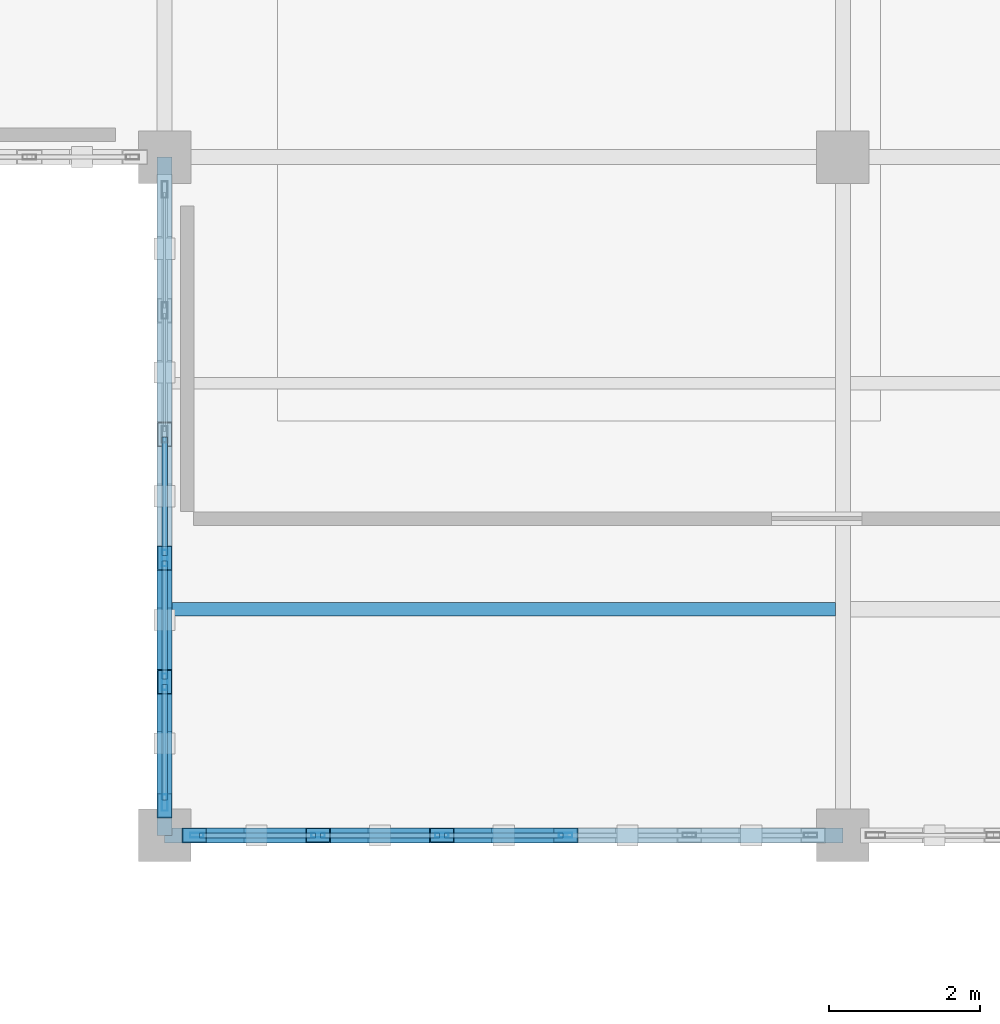
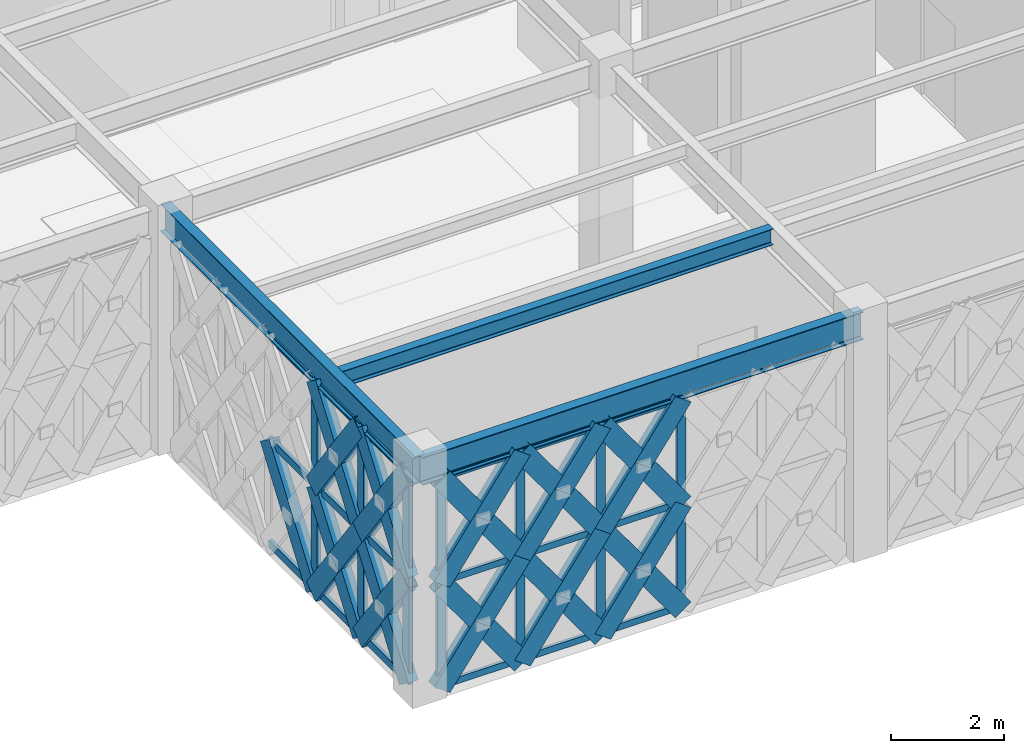
# One storey, part 2 of 72: 56 members, 3 beams, 2 elements without a shape of their own.
"""IFC4 building model written with IfcOpenShell, lengths in metres."""

from ifc_helpers import new_model, si_unit, direction, frame, origin, origin_2d, place, context, subcontext, project, spatial, hollow_rectangle, i_section, extrude, material, material_profile, profile_set, type_object, element, aggregate, save


model = new_model("IFC4")

# Units and contexts
model_context = context("Model", 3, precision=1e-05, world=origin(), true_north=direction((0.0, 1.0)))
body_context = subcontext(model_context, "Body", "Model", "MODEL_VIEW")
ifc_project = project(units=[si_unit("LENGTHUNIT", "METRE"), si_unit("AREAUNIT", "SQUARE_METRE"), si_unit("VOLUMEUNIT", "CUBIC_METRE"), si_unit("PLANEANGLEUNIT", "RADIAN"), si_unit("MASSUNIT", "GRAM", prefix="KILO")], contexts=[model_context])

# Site, building, storey
site_placement = place(None, origin())
site = spatial("IfcSite", under=ifc_project, at=site_placement, CompositionType="ELEMENT")
building_placement = place(site_placement, origin())
building = spatial("IfcBuilding", under=site, at=building_placement, Name="Haizhuo Lancet Aquarium", CompositionType="ELEMENT")
storey_placement = place(building_placement, frame((0.0, 0.0, 21.60009765625)))
storey = spatial("IfcBuildingStorey", under=building, at=storey_placement, Name="L04", CompositionType="ELEMENT", Elevation=21.60009765625)

# Beams
ifc_material_1 = material(Name="Steel S355", Category="steel")
ifc_material_profile_1 = material_profile(ifc_material_1, i_section(OverallWidth=0.199951171875, OverallDepth=0.60009765625, WebThickness=0.010986328125, FlangeThickness=0.01708984375, FilletRadius=0.02197265625, at=origin_2d()), Name="HN 600x200x11x17")
ifc_profile_set_1 = profile_set([ifc_material_profile_1], Name="Steel S355")
beam_type_1 = type_object("IfcBeamType", Name="BM-ST-HN600", PredefinedType="BEAM", material=ifc_profile_set_1)
for number, where, z_axis, x_axis, name in (
    (1, (-72.0, -27.0, 4.849853515625), (0.0, 1.0, 0.0), (-1.0, 0.0, 0.0), "L04 V6 primary girder BM-L04-V6-004"),
    (2, (-72.0, -27.0, 4.849853515625), (1.0, 0.0, 0.0), (0.0, 1.0, 0.0), "L04 V6 primary girder BM-L04-V6-005"),
):
    element("IfcBeam", number, at=place(storey_placement, frame(where, z_axis=z_axis, x_axis=x_axis)), inside=storey, type_object=beam_type_1, Name=name, PredefinedType="BEAM", context=body_context, shape_type="SweptSolid", body=[
        extrude(i_section(OverallWidth=0.199951171875, OverallDepth=0.60009765625, WebThickness=0.010986328125, FlangeThickness=0.01708984375, FilletRadius=0.02197265625, at=origin_2d()), origin(), (0.0, 0.0, 1.0), 9.0),
    ])

# Curtain wall, members
ifc_material_2 = material(Name="Aluminium 6063-T6", Category="aluminium")
curtain_wall_type = type_object("IfcCurtainWallType", Name="CWD-8210x4550", PredefinedType="NOTDEFINED", material=ifc_material_2)
curtain_wall_1_placement = place(storey_placement, origin())
curtain_wall_1 = element("IfcCurtainWall", 3, at=curtain_wall_1_placement, inside=storey, type_object=curtain_wall_type, Name="L04 curtain wall CW-V6-L04-256", PredefinedType="NOTDEFINED")
ifc_material_profile_2 = material_profile(ifc_material_2, hollow_rectangle(XDim=0.06494140625, YDim=0.179931640625, WallThickness=0.00390625, at=origin_2d()), Name="ALU-M 65x180x4")
ifc_profile_set_2 = profile_set([ifc_material_profile_2], Name="Aluminium 6063-T6")
member_type_1 = type_object("IfcMemberType", Name="CW-MUL-1", PredefinedType="MULLION", material=ifc_profile_set_2)
member_1_placement = place(storey_placement, frame((-66.678955078125, -27.0, 0.0), z_axis=(0.0, 0.0, 1.0), x_axis=(0.0, -1.0, 0.0)))
member_1 = element("IfcMember", 4, at=member_1_placement, type_object=member_type_1, Name="CWD-82x45 mullion 3", PredefinedType="MULLION", context=body_context, shape_type="SweptSolid", body=[
    extrude(hollow_rectangle(XDim=0.06494140625, YDim=0.179931640625, WallThickness=0.00390625, at=origin_2d()), origin(), (0.0, 0.0, 1.0), 4.5498046875),
])
member_2_placement = place(storey_placement, frame((-68.321044921875, -27.0, 0.0), z_axis=(0.0, 0.0, 1.0), x_axis=(0.0, -1.0, 0.0)))
member_2 = element("IfcMember", 5, at=member_2_placement, type_object=member_type_1, Name="CWD-82x45 mullion 4", PredefinedType="MULLION", context=body_context, shape_type="SweptSolid", body=[
    extrude(hollow_rectangle(XDim=0.06494140625, YDim=0.179931640625, WallThickness=0.00390625, at=origin_2d()), origin(), (0.0, 0.0, 1.0), 4.5498046875),
])
member_3_placement = place(storey_placement, frame((-69.962890625, -27.0, 0.0), z_axis=(0.0, 0.0, 1.0), x_axis=(0.0, -1.0, 0.0)))
member_3 = element("IfcMember", 6, at=member_3_placement, type_object=member_type_1, Name="CWD-82x45 mullion 5", PredefinedType="MULLION", context=body_context, shape_type="SweptSolid", body=[
    extrude(hollow_rectangle(XDim=0.06494140625, YDim=0.179931640625, WallThickness=0.00390625, at=origin_2d()), origin(), (0.0, 0.0, 1.0), 4.5498046875),
])
member_4_placement = place(storey_placement, frame((-71.572998046875, -27.0, 0.0), z_axis=(0.0, 0.0, 1.0), x_axis=(0.0, -1.0, 0.0)))
member_4 = element("IfcMember", 7, at=member_4_placement, type_object=member_type_1, Name="CWD-82x45 mullion 6", PredefinedType="MULLION", context=body_context, shape_type="SweptSolid", body=[
    extrude(hollow_rectangle(XDim=0.06494140625, YDim=0.179931640625, WallThickness=0.00390625, at=origin_2d()), origin(), (0.0, 0.0, 1.0), 4.5498046875),
])

curtain_wall_2_placement = place(storey_placement, origin())
curtain_wall_2 = element("IfcCurtainWall", 8, at=curtain_wall_2_placement, inside=storey, type_object=curtain_wall_type, Name="L04 curtain wall CW-V6-L04-257", PredefinedType="NOTDEFINED")
ifc_material_profile_3 = material_profile(ifc_material_2, hollow_rectangle(XDim=0.074951171875, YDim=0.219970703125, WallThickness=0.0048828125, at=origin_2d()), Name="ALU-M 75x220x5")
ifc_profile_set_3 = profile_set([ifc_material_profile_3], Name="Aluminium 6063-T6")
member_type_2 = type_object("IfcMemberType", Name="CW-MUL-2", PredefinedType="MULLION", material=ifc_profile_set_3)
member_5_placement = place(storey_placement, frame((-72.0, -26.56689453125, 0.0), z_axis=(0.0, 0.0, 1.0), x_axis=(-1.0, 0.0, 0.0)))
member_5 = element("IfcMember", 9, at=member_5_placement, type_object=member_type_2, Name="CWD-82x45 mullion 1", PredefinedType="MULLION", context=body_context, shape_type="SweptSolid", body=[
    extrude(hollow_rectangle(XDim=0.074951171875, YDim=0.219970703125, WallThickness=0.0048828125, at=origin_2d()), origin(), (0.0, 0.0, 1.0), 4.5498046875),
])
member_6_placement = place(storey_placement, frame((-72.0, -24.962890625, 0.0), z_axis=(0.0, 0.0, 1.0), x_axis=(-1.0, 0.0, 0.0)))
member_6 = element("IfcMember", 10, at=member_6_placement, type_object=member_type_2, Name="CWD-82x45 mullion 2", PredefinedType="MULLION", context=body_context, shape_type="SweptSolid", body=[
    extrude(hollow_rectangle(XDim=0.074951171875, YDim=0.219970703125, WallThickness=0.0048828125, at=origin_2d()), origin(), (0.0, 0.0, 1.0), 4.5498046875),
])
member_7_placement = place(storey_placement, frame((-72.0, -23.321044921875, 0.0), z_axis=(0.0, 0.0, 1.0), x_axis=(-1.0, 0.0, 0.0)))
member_7 = element("IfcMember", 11, at=member_7_placement, type_object=member_type_2, Name="CWD-82x45 mullion 3", PredefinedType="MULLION", context=body_context, shape_type="SweptSolid", body=[
    extrude(hollow_rectangle(XDim=0.074951171875, YDim=0.219970703125, WallThickness=0.0048828125, at=origin_2d()), origin(), (0.0, 0.0, 1.0), 4.5498046875),
])

# Member
ifc_material_profile_4 = material_profile(ifc_material_2, hollow_rectangle(XDim=0.06494140625, YDim=0.139892578125, WallThickness=0.00390625, at=origin_2d()), Name="ALU-T 65x140x4")
ifc_profile_set_4 = profile_set([ifc_material_profile_4], Name="Aluminium 6063-T6")
member_type_3 = type_object("IfcMemberType", Name="CW-TRN-1", PredefinedType="NOTDEFINED", material=ifc_profile_set_4)
member_8_placement = place(storey_placement, frame((-66.7119140625, -27.0, 0.032958984375), z_axis=(-1.0, 0.0, 0.0), x_axis=(0.0, -1.0, 0.0)))
member_8 = element("IfcMember", 12, at=member_8_placement, type_object=member_type_3, Name="CWD-82x45 transom 3.1", ObjectType="TRANSOM", PredefinedType="USERDEFINED", context=body_context, shape_type="SweptSolid", body=[
    extrude(hollow_rectangle(XDim=0.06494140625, YDim=0.139892578125, WallThickness=0.00390625, at=origin_2d()), origin(), (0.0, 0.0, 1.0), 1.576171875),
])

member_9_placement = place(storey_placement, frame((-66.7119140625, -27.0, 2.27490234375), z_axis=(-1.0, 0.0, 0.0), x_axis=(0.0, -1.0, 0.0)))
member_9 = element("IfcMember", 13, at=member_9_placement, type_object=member_type_3, Name="CWD-82x45 transom 3.2", ObjectType="TRANSOM", PredefinedType="USERDEFINED", context=body_context, shape_type="SweptSolid", body=[
    extrude(hollow_rectangle(XDim=0.06494140625, YDim=0.139892578125, WallThickness=0.00390625, at=origin_2d()), origin(), (0.0, 0.0, 1.0), 1.576171875),
])

member_10_placement = place(storey_placement, frame((-66.7119140625, -27.0, 4.516845703125), z_axis=(-1.0, 0.0, 0.0), x_axis=(0.0, -1.0, 0.0)))
member_10 = element("IfcMember", 14, at=member_10_placement, type_object=member_type_3, Name="CWD-82x45 transom 3.3", ObjectType="TRANSOM", PredefinedType="USERDEFINED", context=body_context, shape_type="SweptSolid", body=[
    extrude(hollow_rectangle(XDim=0.06494140625, YDim=0.139892578125, WallThickness=0.00390625, at=origin_2d()), origin(), (0.0, 0.0, 1.0), 1.576171875),
])

member_11_placement = place(storey_placement, frame((-68.35302734375, -27.0, 0.032958984375), z_axis=(-1.0, 0.0, 0.0), x_axis=(0.0, -1.0, 0.0)))
member_11 = element("IfcMember", 15, at=member_11_placement, type_object=member_type_3, Name="CWD-82x45 transom 4.1", ObjectType="TRANSOM", PredefinedType="USERDEFINED", context=body_context, shape_type="SweptSolid", body=[
    extrude(hollow_rectangle(XDim=0.06494140625, YDim=0.139892578125, WallThickness=0.00390625, at=origin_2d()), origin(), (0.0, 0.0, 1.0), 1.577880859375),
])

member_12_placement = place(storey_placement, frame((-68.35302734375, -27.0, 2.27490234375), z_axis=(-1.0, 0.0, 0.0), x_axis=(0.0, -1.0, 0.0)))
member_12 = element("IfcMember", 16, at=member_12_placement, type_object=member_type_3, Name="CWD-82x45 transom 4.2", ObjectType="TRANSOM", PredefinedType="USERDEFINED", context=body_context, shape_type="SweptSolid", body=[
    extrude(hollow_rectangle(XDim=0.06494140625, YDim=0.139892578125, WallThickness=0.00390625, at=origin_2d()), origin(), (0.0, 0.0, 1.0), 1.577880859375),
])

member_13_placement = place(storey_placement, frame((-68.35302734375, -27.0, 4.516845703125), z_axis=(-1.0, 0.0, 0.0), x_axis=(0.0, -1.0, 0.0)))
member_13 = element("IfcMember", 17, at=member_13_placement, type_object=member_type_3, Name="CWD-82x45 transom 4.3", ObjectType="TRANSOM", PredefinedType="USERDEFINED", context=body_context, shape_type="SweptSolid", body=[
    extrude(hollow_rectangle(XDim=0.06494140625, YDim=0.139892578125, WallThickness=0.00390625, at=origin_2d()), origin(), (0.0, 0.0, 1.0), 1.577880859375),
])

member_14_placement = place(storey_placement, frame((-69.99609375, -27.0, 0.032958984375), z_axis=(-1.0, 0.0, 0.0), x_axis=(0.0, -1.0, 0.0)))
member_14 = element("IfcMember", 18, at=member_14_placement, type_object=member_type_3, Name="CWD-82x45 transom 5.1", ObjectType="TRANSOM", PredefinedType="USERDEFINED", context=body_context, shape_type="SweptSolid", body=[
    extrude(hollow_rectangle(XDim=0.06494140625, YDim=0.139892578125, WallThickness=0.00390625, at=origin_2d()), origin(), (0.0, 0.0, 1.0), 1.5439453125),
])

member_15_placement = place(storey_placement, frame((-69.99609375, -27.0, 2.27490234375), z_axis=(-1.0, 0.0, 0.0), x_axis=(0.0, -1.0, 0.0)))
member_15 = element("IfcMember", 19, at=member_15_placement, type_object=member_type_3, Name="CWD-82x45 transom 5.2", ObjectType="TRANSOM", PredefinedType="USERDEFINED", context=body_context, shape_type="SweptSolid", body=[
    extrude(hollow_rectangle(XDim=0.06494140625, YDim=0.139892578125, WallThickness=0.00390625, at=origin_2d()), origin(), (0.0, 0.0, 1.0), 1.5439453125),
])

member_16_placement = place(storey_placement, frame((-69.99609375, -27.0, 4.516845703125), z_axis=(-1.0, 0.0, 0.0), x_axis=(0.0, -1.0, 0.0)))
member_16 = element("IfcMember", 20, at=member_16_placement, type_object=member_type_3, Name="CWD-82x45 transom 5.3", ObjectType="TRANSOM", PredefinedType="USERDEFINED", context=body_context, shape_type="SweptSolid", body=[
    extrude(hollow_rectangle(XDim=0.06494140625, YDim=0.139892578125, WallThickness=0.00390625, at=origin_2d()), origin(), (0.0, 0.0, 1.0), 1.5439453125),
])

aggregate(curtain_wall_1, [member_1, member_2, member_3, member_4, member_8, member_9, member_10, member_11, member_12, member_13, member_14, member_15, member_16])

ifc_material_profile_5 = material_profile(ifc_material_2, hollow_rectangle(XDim=0.074951171875, YDim=0.159912109375, WallThickness=0.00390625, at=origin_2d()), Name="ALU-T 75x160x4")
ifc_profile_set_5 = profile_set([ifc_material_profile_5], Name="Aluminium 6063-T6")
member_type_4 = type_object("IfcMemberType", Name="CW-TRN-2", PredefinedType="NOTDEFINED", material=ifc_profile_set_5)
member_17_placement = place(storey_placement, frame((-72.0, -26.530029296875, 0.037841796875), z_axis=(0.0, 1.0, 0.0), x_axis=(-1.0, 0.0, 0.0)))
member_17 = element("IfcMember", 21, at=member_17_placement, type_object=member_type_4, Name="CWD-82x45 transom 1.1", ObjectType="TRANSOM", PredefinedType="USERDEFINED", context=body_context, shape_type="SweptSolid", body=[
    extrude(hollow_rectangle(XDim=0.074951171875, YDim=0.159912109375, WallThickness=0.00390625, at=origin_2d()), origin(), (0.0, 0.0, 1.0), 1.530029296875),
])

member_18_placement = place(storey_placement, frame((-72.0, -26.530029296875, 2.27490234375), z_axis=(0.0, 1.0, 0.0), x_axis=(-1.0, 0.0, 0.0)))
member_18 = element("IfcMember", 22, at=member_18_placement, type_object=member_type_4, Name="CWD-82x45 transom 1.2", ObjectType="TRANSOM", PredefinedType="USERDEFINED", context=body_context, shape_type="SweptSolid", body=[
    extrude(hollow_rectangle(XDim=0.074951171875, YDim=0.159912109375, WallThickness=0.00390625, at=origin_2d()), origin(), (0.0, 0.0, 1.0), 1.530029296875),
])

member_19_placement = place(storey_placement, frame((-72.0, -26.530029296875, 4.511962890625), z_axis=(0.0, 1.0, 0.0), x_axis=(-1.0, 0.0, 0.0)))
member_19 = element("IfcMember", 23, at=member_19_placement, type_object=member_type_4, Name="CWD-82x45 transom 1.3", ObjectType="TRANSOM", PredefinedType="USERDEFINED", context=body_context, shape_type="SweptSolid", body=[
    extrude(hollow_rectangle(XDim=0.074951171875, YDim=0.159912109375, WallThickness=0.00390625, at=origin_2d()), origin(), (0.0, 0.0, 1.0), 1.530029296875),
])

member_20_placement = place(storey_placement, frame((-72.0, -24.925048828125, 0.037841796875), z_axis=(0.0, 1.0, 0.0), x_axis=(-1.0, 0.0, 0.0)))
member_20 = element("IfcMember", 24, at=member_20_placement, type_object=member_type_4, Name="CWD-82x45 transom 2.1", ObjectType="TRANSOM", PredefinedType="USERDEFINED", context=body_context, shape_type="SweptSolid", body=[
    extrude(hollow_rectangle(XDim=0.074951171875, YDim=0.159912109375, WallThickness=0.00390625, at=origin_2d()), origin(), (0.0, 0.0, 1.0), 1.567138671875),
])

member_21_placement = place(storey_placement, frame((-72.0, -24.925048828125, 2.27490234375), z_axis=(0.0, 1.0, 0.0), x_axis=(-1.0, 0.0, 0.0)))
member_21 = element("IfcMember", 25, at=member_21_placement, type_object=member_type_4, Name="CWD-82x45 transom 2.2", ObjectType="TRANSOM", PredefinedType="USERDEFINED", context=body_context, shape_type="SweptSolid", body=[
    extrude(hollow_rectangle(XDim=0.074951171875, YDim=0.159912109375, WallThickness=0.00390625, at=origin_2d()), origin(), (0.0, 0.0, 1.0), 1.567138671875),
])

member_22_placement = place(storey_placement, frame((-72.0, -24.925048828125, 4.511962890625), z_axis=(0.0, 1.0, 0.0), x_axis=(-1.0, 0.0, 0.0)))
member_22 = element("IfcMember", 26, at=member_22_placement, type_object=member_type_4, Name="CWD-82x45 transom 2.3", ObjectType="TRANSOM", PredefinedType="USERDEFINED", context=body_context, shape_type="SweptSolid", body=[
    extrude(hollow_rectangle(XDim=0.074951171875, YDim=0.159912109375, WallThickness=0.00390625, at=origin_2d()), origin(), (0.0, 0.0, 1.0), 1.567138671875),
])

member_23_placement = place(storey_placement, frame((-72.0, -23.283935546875, 0.037841796875), z_axis=(0.0, 1.0, 0.0), x_axis=(-1.0, 0.0, 0.0)))
member_23 = element("IfcMember", 27, at=member_23_placement, type_object=member_type_4, Name="CWD-82x45 transom 3.1", ObjectType="TRANSOM", PredefinedType="USERDEFINED", context=body_context, shape_type="SweptSolid", body=[
    extrude(hollow_rectangle(XDim=0.074951171875, YDim=0.159912109375, WallThickness=0.00390625, at=origin_2d()), origin(), (0.0, 0.0, 1.0), 1.56787109375),
])

member_24_placement = place(storey_placement, frame((-72.0, -23.283935546875, 2.27490234375), z_axis=(0.0, 1.0, 0.0), x_axis=(-1.0, 0.0, 0.0)))
member_24 = element("IfcMember", 28, at=member_24_placement, type_object=member_type_4, Name="CWD-82x45 transom 3.2", ObjectType="TRANSOM", PredefinedType="USERDEFINED", context=body_context, shape_type="SweptSolid", body=[
    extrude(hollow_rectangle(XDim=0.074951171875, YDim=0.159912109375, WallThickness=0.00390625, at=origin_2d()), origin(), (0.0, 0.0, 1.0), 1.56787109375),
])

member_25_placement = place(storey_placement, frame((-72.0, -23.283935546875, 4.511962890625), z_axis=(0.0, 1.0, 0.0), x_axis=(-1.0, 0.0, 0.0)))
member_25 = element("IfcMember", 29, at=member_25_placement, type_object=member_type_4, Name="CWD-82x45 transom 3.3", ObjectType="TRANSOM", PredefinedType="USERDEFINED", context=body_context, shape_type="SweptSolid", body=[
    extrude(hollow_rectangle(XDim=0.074951171875, YDim=0.159912109375, WallThickness=0.00390625, at=origin_2d()), origin(), (0.0, 0.0, 1.0), 1.56787109375),
])

aggregate(curtain_wall_2, [member_5, member_6, member_7, member_17, member_18, member_19, member_20, member_21, member_22, member_23, member_24, member_25])

# Beam
ifc_material_profile_6 = material_profile(ifc_material_1, i_section(OverallWidth=0.175048828125, OverallDepth=0.35009765625, WebThickness=0.007080078125, FlangeThickness=0.010986328125, FilletRadius=0.013916015625, at=origin_2d()), Name="HN 350x175x7x11")
ifc_profile_set_6 = profile_set([ifc_material_profile_6], Name="Steel S355")
beam_type_2 = type_object("IfcBeamType", Name="JST-ST-HN350", PredefinedType="JOIST", material=ifc_profile_set_6)
beam_placement = place(storey_placement, frame((-71.89990234375, -24.0, 4.974853515625), z_axis=(1.0, 0.0, 0.0), x_axis=(0.0, 1.0, 0.0)))
element("IfcBeam", 30, at=beam_placement, inside=storey, type_object=beam_type_2, Name="L04 V6 secondary floor joist 3", PredefinedType="JOIST", context=body_context, shape_type="SweptSolid", body=[
    extrude(i_section(OverallWidth=0.175048828125, OverallDepth=0.35009765625, WebThickness=0.007080078125, FlangeThickness=0.010986328125, FilletRadius=0.013916015625, at=origin_2d()), origin(), (0.0, 0.0, 1.0), 8.7998046875),
])

# Members
ifc_material_profile_7 = material_profile(ifc_material_1, hollow_rectangle(XDim=0.199951171875, YDim=0.39990234375, WallThickness=0.011962890625, at=origin_2d()), Name="RHS 200x400x12")
ifc_profile_set_7 = profile_set([ifc_material_profile_7], Name="Steel S355")
member_type_5 = type_object("IfcMemberType", Name="MEM-LB-RHS200x400", PredefinedType="BRACE", material=ifc_profile_set_7)
member_26_placement = place(storey_placement, frame((-66.678955078125, -27.0, 0.0), z_axis=(-0.585280844621, 0.0, 0.810830643797), x_axis=(0.0, -1.0, 0.0)))
element("IfcMember", 31, at=member_26_placement, inside=storey, type_object=member_type_5, Name="Gothic lancet continuous diagonal brace CW-V6-L04-256 5A", PredefinedType="BRACE", context=body_context, shape_type="SweptSolid", body=[
    extrude(hollow_rectangle(XDim=0.199951171875, YDim=0.39990234375, WallThickness=0.011962890625, at=origin_2d()), origin(), (0.0, 0.0, 1.0), 2.8056640625),
])
member_27_placement = place(storey_placement, frame((-68.321044921875, -27.0, 0.0), z_axis=(0.585115697402, 0.0, 0.810949826224), x_axis=(0.0, 1.0, 0.0)))
element("IfcMember", 32, at=member_27_placement, inside=storey, type_object=member_type_5, Name="Gothic lancet split diagonal brace CW-V6-L04-256 5B1", PredefinedType="BRACE", context=body_context, shape_type="SweptSolid", body=[
    extrude(hollow_rectangle(XDim=0.199951171875, YDim=0.39990234375, WallThickness=0.011962890625, at=origin_2d()), origin(), (0.0, 0.0, 1.0), 1.4033203125),
])
member_28_placement = place(storey_placement, frame((-67.5, -27.0, 1.137939453125), z_axis=(0.585446060787, 0.0, 0.810711360417), x_axis=(0.0, 1.0, 0.0)))
element("IfcMember", 33, at=member_28_placement, inside=storey, type_object=member_type_5, Name="Gothic lancet split diagonal brace CW-V6-L04-256 5B2", PredefinedType="BRACE", context=body_context, shape_type="SweptSolid", body=[
    extrude(hollow_rectangle(XDim=0.199951171875, YDim=0.39990234375, WallThickness=0.011962890625, at=origin_2d()), origin(), (0.0, 0.0, 1.0), 1.40234375),
])
member_29_placement = place(storey_placement, frame((-66.678955078125, -27.0, 2.27490234375), z_axis=(-0.585280844621, 0.0, 0.810830643797), x_axis=(0.0, -1.0, 0.0)))
element("IfcMember", 34, at=member_29_placement, inside=storey, type_object=member_type_5, Name="Gothic lancet continuous diagonal brace CW-V6-L04-256 6A", PredefinedType="BRACE", context=body_context, shape_type="SweptSolid", body=[
    extrude(hollow_rectangle(XDim=0.199951171875, YDim=0.39990234375, WallThickness=0.011962890625, at=origin_2d()), origin(), (0.0, 0.0, 1.0), 2.8056640625),
])
member_30_placement = place(storey_placement, frame((-68.321044921875, -27.0, 2.27490234375), z_axis=(0.585446060787, 0.0, 0.810711360417), x_axis=(0.0, 1.0, 0.0)))
element("IfcMember", 35, at=member_30_placement, inside=storey, type_object=member_type_5, Name="Gothic lancet split diagonal brace CW-V6-L04-256 6B1", PredefinedType="BRACE", context=body_context, shape_type="SweptSolid", body=[
    extrude(hollow_rectangle(XDim=0.199951171875, YDim=0.39990234375, WallThickness=0.011962890625, at=origin_2d()), origin(), (0.0, 0.0, 1.0), 1.40234375),
])
member_31_placement = place(storey_placement, frame((-67.5, -27.0, 3.411865234375), z_axis=(0.585115697402, 0.0, 0.810949826224), x_axis=(0.0, 1.0, 0.0)))
element("IfcMember", 36, at=member_31_placement, inside=storey, type_object=member_type_5, Name="Gothic lancet split diagonal brace CW-V6-L04-256 6B2", PredefinedType="BRACE", context=body_context, shape_type="SweptSolid", body=[
    extrude(hollow_rectangle(XDim=0.199951171875, YDim=0.39990234375, WallThickness=0.011962890625, at=origin_2d()), origin(), (0.0, 0.0, 1.0), 1.4033203125),
])
member_32_placement = place(storey_placement, frame((-68.321044921875, -27.0, 0.0), z_axis=(-0.585223630803, 0.0, 0.810871939304), x_axis=(0.0, -1.0, 0.0)))
element("IfcMember", 37, at=member_32_placement, inside=storey, type_object=member_type_5, Name="Gothic lancet continuous diagonal brace CW-V6-L04-256 7A", PredefinedType="BRACE", context=body_context, shape_type="SweptSolid", body=[
    extrude(hollow_rectangle(XDim=0.199951171875, YDim=0.39990234375, WallThickness=0.011962890625, at=origin_2d()), origin(), (0.0, 0.0, 1.0), 2.805419921875),
])
member_33_placement = place(storey_placement, frame((-69.962890625, -27.0, 0.0), z_axis=(0.585001259689, 0.0, 0.81103238293), x_axis=(0.0, 1.0, 0.0)))
element("IfcMember", 38, at=member_33_placement, inside=storey, type_object=member_type_5, Name="Gothic lancet split diagonal brace CW-V6-L04-256 7B1", PredefinedType="BRACE", context=body_context, shape_type="SweptSolid", body=[
    extrude(hollow_rectangle(XDim=0.199951171875, YDim=0.39990234375, WallThickness=0.011962890625, at=origin_2d()), origin(), (0.0, 0.0, 1.0), 1.403076171875),
])
member_34_placement = place(storey_placement, frame((-69.14208984375, -27.0, 1.137939453125), z_axis=(0.585446060787, 0.0, 0.810711360417), x_axis=(0.0, 1.0, 0.0)))
element("IfcMember", 39, at=member_34_placement, inside=storey, type_object=member_type_5, Name="Gothic lancet split diagonal brace CW-V6-L04-256 7B2", PredefinedType="BRACE", context=body_context, shape_type="SweptSolid", body=[
    extrude(hollow_rectangle(XDim=0.199951171875, YDim=0.39990234375, WallThickness=0.011962890625, at=origin_2d()), origin(), (0.0, 0.0, 1.0), 1.40234375),
])
member_35_placement = place(storey_placement, frame((-68.321044921875, -27.0, 2.27490234375), z_axis=(-0.585223630803, 0.0, 0.810871939304), x_axis=(0.0, -1.0, 0.0)))
element("IfcMember", 40, at=member_35_placement, inside=storey, type_object=member_type_5, Name="Gothic lancet continuous diagonal brace CW-V6-L04-256 8A", PredefinedType="BRACE", context=body_context, shape_type="SweptSolid", body=[
    extrude(hollow_rectangle(XDim=0.199951171875, YDim=0.39990234375, WallThickness=0.011962890625, at=origin_2d()), origin(), (0.0, 0.0, 1.0), 2.805419921875),
])
member_36_placement = place(storey_placement, frame((-69.962890625, -27.0, 2.27490234375), z_axis=(0.585331625772, 0.0, 0.810793986085), x_axis=(0.0, 1.0, 0.0)))
element("IfcMember", 41, at=member_36_placement, inside=storey, type_object=member_type_5, Name="Gothic lancet split diagonal brace CW-V6-L04-256 8B1", PredefinedType="BRACE", context=body_context, shape_type="SweptSolid", body=[
    extrude(hollow_rectangle(XDim=0.199951171875, YDim=0.39990234375, WallThickness=0.011962890625, at=origin_2d()), origin(), (0.0, 0.0, 1.0), 1.40234375),
])
member_37_placement = place(storey_placement, frame((-69.14208984375, -27.0, 3.411865234375), z_axis=(0.585115697402, 0.0, 0.810949826224), x_axis=(0.0, 1.0, 0.0)))
element("IfcMember", 42, at=member_37_placement, inside=storey, type_object=member_type_5, Name="Gothic lancet split diagonal brace CW-V6-L04-256 8B2", PredefinedType="BRACE", context=body_context, shape_type="SweptSolid", body=[
    extrude(hollow_rectangle(XDim=0.199951171875, YDim=0.39990234375, WallThickness=0.011962890625, at=origin_2d()), origin(), (0.0, 0.0, 1.0), 1.4033203125),
])
member_38_placement = place(storey_placement, frame((-69.962890625, -27.0, 0.0), z_axis=(-0.585280844621, 0.0, 0.810830643797), x_axis=(0.0, -1.0, 0.0)))
element("IfcMember", 43, at=member_38_placement, inside=storey, type_object=member_type_5, Name="Gothic lancet continuous diagonal brace CW-V6-L04-256 9A", PredefinedType="BRACE", context=body_context, shape_type="SweptSolid", body=[
    extrude(hollow_rectangle(XDim=0.199951171875, YDim=0.39990234375, WallThickness=0.011962890625, at=origin_2d()), origin(), (0.0, 0.0, 1.0), 2.8056640625),
])
member_39_placement = place(storey_placement, frame((-71.60498046875, -27.0, 0.0), z_axis=(0.585115697402, 0.0, 0.810949826224), x_axis=(0.0, 1.0, 0.0)))
element("IfcMember", 44, at=member_39_placement, inside=storey, type_object=member_type_5, Name="Gothic lancet split diagonal brace CW-V6-L04-256 9B1", PredefinedType="BRACE", context=body_context, shape_type="SweptSolid", body=[
    extrude(hollow_rectangle(XDim=0.199951171875, YDim=0.39990234375, WallThickness=0.011962890625, at=origin_2d()), origin(), (0.0, 0.0, 1.0), 1.4033203125),
])
member_40_placement = place(storey_placement, frame((-70.783935546875, -27.0, 1.137939453125), z_axis=(0.585446060787, 0.0, 0.810711360417), x_axis=(0.0, 1.0, 0.0)))
element("IfcMember", 45, at=member_40_placement, inside=storey, type_object=member_type_5, Name="Gothic lancet split diagonal brace CW-V6-L04-256 9B2", PredefinedType="BRACE", context=body_context, shape_type="SweptSolid", body=[
    extrude(hollow_rectangle(XDim=0.199951171875, YDim=0.39990234375, WallThickness=0.011962890625, at=origin_2d()), origin(), (0.0, 0.0, 1.0), 1.40234375),
])
member_41_placement = place(storey_placement, frame((-69.962890625, -27.0, 2.27490234375), z_axis=(-0.585280844621, 0.0, 0.810830643797), x_axis=(0.0, -1.0, 0.0)))
element("IfcMember", 46, at=member_41_placement, inside=storey, type_object=member_type_5, Name="Gothic lancet continuous diagonal brace CW-V6-L04-256 10A", PredefinedType="BRACE", context=body_context, shape_type="SweptSolid", body=[
    extrude(hollow_rectangle(XDim=0.199951171875, YDim=0.39990234375, WallThickness=0.011962890625, at=origin_2d()), origin(), (0.0, 0.0, 1.0), 2.8056640625),
])
member_42_placement = place(storey_placement, frame((-71.60498046875, -27.0, 2.27490234375), z_axis=(0.585446060787, 0.0, 0.810711360417), x_axis=(0.0, 1.0, 0.0)))
element("IfcMember", 47, at=member_42_placement, inside=storey, type_object=member_type_5, Name="Gothic lancet split diagonal brace CW-V6-L04-256 10B1", PredefinedType="BRACE", context=body_context, shape_type="SweptSolid", body=[
    extrude(hollow_rectangle(XDim=0.199951171875, YDim=0.39990234375, WallThickness=0.011962890625, at=origin_2d()), origin(), (0.0, 0.0, 1.0), 1.40234375),
])
member_43_placement = place(storey_placement, frame((-70.783935546875, -27.0, 3.411865234375), z_axis=(0.585115697402, 0.0, 0.810949826224), x_axis=(0.0, 1.0, 0.0)))
element("IfcMember", 48, at=member_43_placement, inside=storey, type_object=member_type_5, Name="Gothic lancet split diagonal brace CW-V6-L04-256 10B2", PredefinedType="BRACE", context=body_context, shape_type="SweptSolid", body=[
    extrude(hollow_rectangle(XDim=0.199951171875, YDim=0.39990234375, WallThickness=0.011962890625, at=origin_2d()), origin(), (0.0, 0.0, 1.0), 1.4033203125),
])
member_44_placement = place(storey_placement, frame((-72.0, -26.60498046875, 0.0), z_axis=(0.0, 0.585280844621, 0.810830643797), x_axis=(-1.0, 0.0, 0.0)))
element("IfcMember", 49, at=member_44_placement, inside=storey, type_object=member_type_5, Name="Gothic lancet continuous diagonal brace CW-V6-L04-257 1A", PredefinedType="BRACE", context=body_context, shape_type="SweptSolid", body=[
    extrude(hollow_rectangle(XDim=0.199951171875, YDim=0.39990234375, WallThickness=0.011962890625, at=origin_2d()), origin(), (0.0, 0.0, 1.0), 2.8056640625),
])
member_45_placement = place(storey_placement, frame((-72.0, -24.962890625, 0.0), z_axis=(0.0, -0.585115697402, 0.810949826224), x_axis=(1.0, 0.0, 0.0)))
element("IfcMember", 50, at=member_45_placement, inside=storey, type_object=member_type_5, Name="Gothic lancet split diagonal brace CW-V6-L04-257 1B1", PredefinedType="BRACE", context=body_context, shape_type="SweptSolid", body=[
    extrude(hollow_rectangle(XDim=0.199951171875, YDim=0.39990234375, WallThickness=0.011962890625, at=origin_2d()), origin(), (0.0, 0.0, 1.0), 1.4033203125),
])
member_46_placement = place(storey_placement, frame((-72.0, -25.783935546875, 1.137939453125), z_axis=(0.0, -0.585446060787, 0.810711360417), x_axis=(1.0, 0.0, 0.0)))
element("IfcMember", 51, at=member_46_placement, inside=storey, type_object=member_type_5, Name="Gothic lancet split diagonal brace CW-V6-L04-257 1B2", PredefinedType="BRACE", context=body_context, shape_type="SweptSolid", body=[
    extrude(hollow_rectangle(XDim=0.199951171875, YDim=0.39990234375, WallThickness=0.011962890625, at=origin_2d()), origin(), (0.0, 0.0, 1.0), 1.40234375),
])
member_47_placement = place(storey_placement, frame((-72.0, -26.60498046875, 2.27490234375), z_axis=(0.0, 0.585280844621, 0.810830643797), x_axis=(-1.0, 0.0, 0.0)))
element("IfcMember", 52, at=member_47_placement, inside=storey, type_object=member_type_5, Name="Gothic lancet continuous diagonal brace CW-V6-L04-257 2A", PredefinedType="BRACE", context=body_context, shape_type="SweptSolid", body=[
    extrude(hollow_rectangle(XDim=0.199951171875, YDim=0.39990234375, WallThickness=0.011962890625, at=origin_2d()), origin(), (0.0, 0.0, 1.0), 2.8056640625),
])
member_48_placement = place(storey_placement, frame((-72.0, -24.962890625, 2.27490234375), z_axis=(0.0, -0.585446060787, 0.810711360417), x_axis=(1.0, 0.0, 0.0)))
element("IfcMember", 53, at=member_48_placement, inside=storey, type_object=member_type_5, Name="Gothic lancet split diagonal brace CW-V6-L04-257 2B1", PredefinedType="BRACE", context=body_context, shape_type="SweptSolid", body=[
    extrude(hollow_rectangle(XDim=0.199951171875, YDim=0.39990234375, WallThickness=0.011962890625, at=origin_2d()), origin(), (0.0, 0.0, 1.0), 1.40234375),
])
member_49_placement = place(storey_placement, frame((-72.0, -25.783935546875, 3.411865234375), z_axis=(0.0, -0.585115697402, 0.810949826224), x_axis=(1.0, 0.0, 0.0)))
element("IfcMember", 54, at=member_49_placement, inside=storey, type_object=member_type_5, Name="Gothic lancet split diagonal brace CW-V6-L04-257 2B2", PredefinedType="BRACE", context=body_context, shape_type="SweptSolid", body=[
    extrude(hollow_rectangle(XDim=0.199951171875, YDim=0.39990234375, WallThickness=0.011962890625, at=origin_2d()), origin(), (0.0, 0.0, 1.0), 1.4033203125),
])
member_50_placement = place(storey_placement, frame((-72.0, -24.962890625, 0.0), z_axis=(0.0, 0.585223630803, 0.810871939304), x_axis=(-1.0, 0.0, 0.0)))
element("IfcMember", 55, at=member_50_placement, inside=storey, type_object=member_type_5, Name="Gothic lancet continuous diagonal brace CW-V6-L04-257 3A", PredefinedType="BRACE", context=body_context, shape_type="SweptSolid", body=[
    extrude(hollow_rectangle(XDim=0.199951171875, YDim=0.39990234375, WallThickness=0.011962890625, at=origin_2d()), origin(), (0.0, 0.0, 1.0), 2.805419921875),
])
member_51_placement = place(storey_placement, frame((-72.0, -23.321044921875, 0.0), z_axis=(0.0, -0.585115697402, 0.810949826224), x_axis=(1.0, 0.0, 0.0)))
element("IfcMember", 56, at=member_51_placement, inside=storey, type_object=member_type_5, Name="Gothic lancet split diagonal brace CW-V6-L04-257 3B1", PredefinedType="BRACE", context=body_context, shape_type="SweptSolid", body=[
    extrude(hollow_rectangle(XDim=0.199951171875, YDim=0.39990234375, WallThickness=0.011962890625, at=origin_2d()), origin(), (0.0, 0.0, 1.0), 1.4033203125),
])
member_52_placement = place(storey_placement, frame((-72.0, -24.14208984375, 1.137939453125), z_axis=(0.0, -0.585331625772, 0.810793986085), x_axis=(1.0, 0.0, 0.0)))
element("IfcMember", 57, at=member_52_placement, inside=storey, type_object=member_type_5, Name="Gothic lancet split diagonal brace CW-V6-L04-257 3B2", PredefinedType="BRACE", context=body_context, shape_type="SweptSolid", body=[
    extrude(hollow_rectangle(XDim=0.199951171875, YDim=0.39990234375, WallThickness=0.011962890625, at=origin_2d()), origin(), (0.0, 0.0, 1.0), 1.40234375),
])
member_53_placement = place(storey_placement, frame((-72.0, -24.962890625, 2.27490234375), z_axis=(0.0, 0.585223630803, 0.810871939304), x_axis=(-1.0, 0.0, 0.0)))
element("IfcMember", 58, at=member_53_placement, inside=storey, type_object=member_type_5, Name="Gothic lancet continuous diagonal brace CW-V6-L04-257 4A", PredefinedType="BRACE", context=body_context, shape_type="SweptSolid", body=[
    extrude(hollow_rectangle(XDim=0.199951171875, YDim=0.39990234375, WallThickness=0.011962890625, at=origin_2d()), origin(), (0.0, 0.0, 1.0), 2.805419921875),
])
member_54_placement = place(storey_placement, frame((-72.0, -23.321044921875, 2.27490234375), z_axis=(0.0, -0.585446060787, 0.810711360417), x_axis=(1.0, 0.0, 0.0)))
element("IfcMember", 59, at=member_54_placement, inside=storey, type_object=member_type_5, Name="Gothic lancet split diagonal brace CW-V6-L04-257 4B1", PredefinedType="BRACE", context=body_context, shape_type="SweptSolid", body=[
    extrude(hollow_rectangle(XDim=0.199951171875, YDim=0.39990234375, WallThickness=0.011962890625, at=origin_2d()), origin(), (0.0, 0.0, 1.0), 1.40234375),
])
member_55_placement = place(storey_placement, frame((-72.0, -24.14208984375, 3.411865234375), z_axis=(0.0, -0.585001259689, 0.81103238293), x_axis=(1.0, 0.0, 0.0)))
element("IfcMember", 60, at=member_55_placement, inside=storey, type_object=member_type_5, Name="Gothic lancet split diagonal brace CW-V6-L04-257 4B2", PredefinedType="BRACE", context=body_context, shape_type="SweptSolid", body=[
    extrude(hollow_rectangle(XDim=0.199951171875, YDim=0.39990234375, WallThickness=0.011962890625, at=origin_2d()), origin(), (0.0, 0.0, 1.0), 1.403076171875),
])
member_56_placement = place(storey_placement, frame((-72.0, -23.321044921875, 0.0), z_axis=(0.0, 0.585280844621, 0.810830643797), x_axis=(-1.0, 0.0, 0.0)))
element("IfcMember", 61, at=member_56_placement, inside=storey, type_object=member_type_5, Name="Gothic lancet continuous diagonal brace CW-V6-L04-257 5A", PredefinedType="BRACE", context=body_context, shape_type="SweptSolid", body=[
    extrude(hollow_rectangle(XDim=0.199951171875, YDim=0.39990234375, WallThickness=0.011962890625, at=origin_2d()), origin(), (0.0, 0.0, 1.0), 2.8056640625),
])

save(model, "model.ifc")
